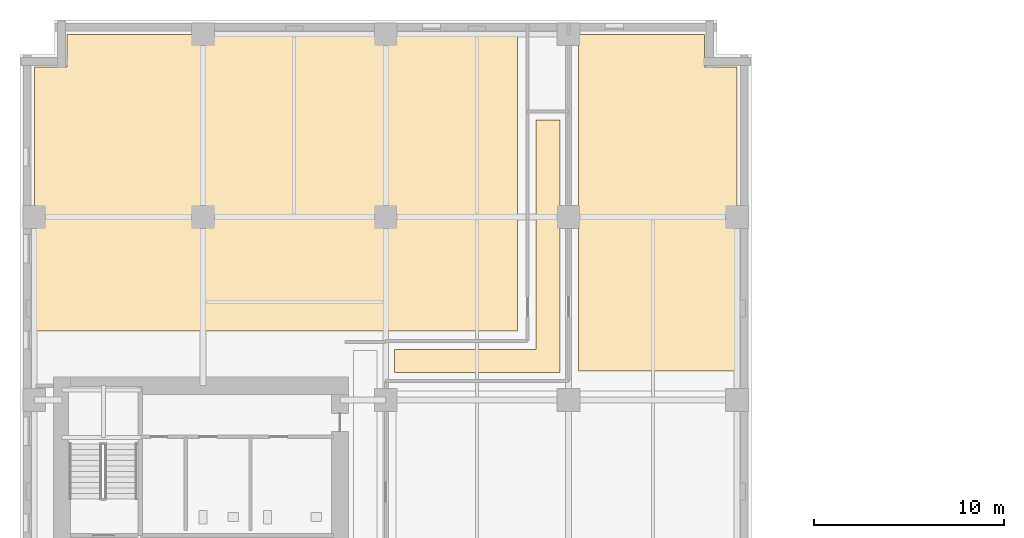
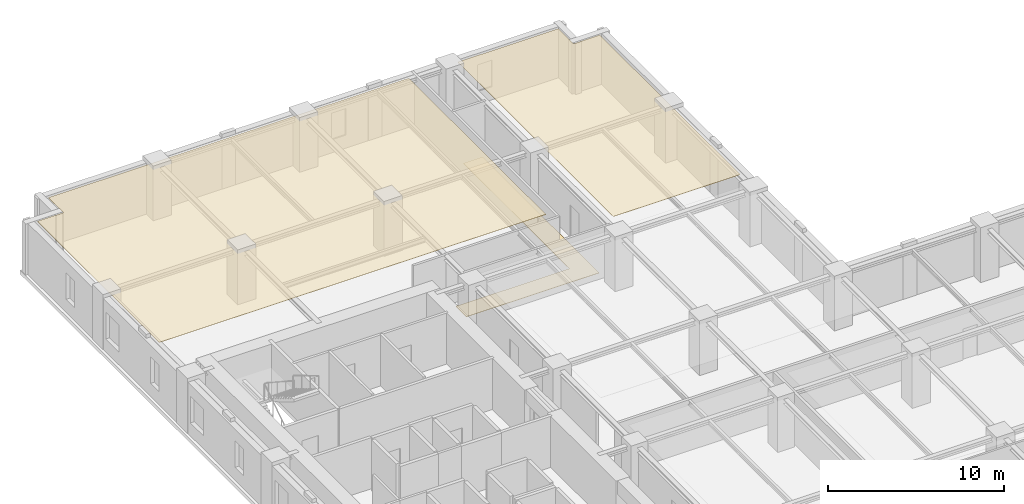
# One storey, part 13 of 14: 3 coverings.
"""IFC4 building model written with IfcOpenShell, lengths in metres."""

from ifc_helpers import new_model, si_unit, direction, frame, origin, place, context, subcontext, project, spatial, polyline, outline, extrude, material, layer, layer_set, type_object, element, save


model = new_model("IFC4")

# Units and contexts
model_context = context("Model", 3, precision=1e-05, world=origin(), true_north=direction((0.0, 1.0)))
body_context = subcontext(model_context, "Body", "Model", "MODEL_VIEW")
ifc_project = project(units=[si_unit("LENGTHUNIT", "METRE"), si_unit("AREAUNIT", "SQUARE_METRE"), si_unit("VOLUMEUNIT", "CUBIC_METRE"), si_unit("PLANEANGLEUNIT", "RADIAN"), si_unit("MASSUNIT", "GRAM", prefix="KILO")], contexts=[model_context])

# Site, building, storey
site_placement = place(None, origin())
site = spatial("IfcSite", under=ifc_project, at=site_placement, CompositionType="ELEMENT")
building_placement = place(site_placement, origin())
building = spatial("IfcBuilding", under=site, at=building_placement, Name="Norrvale University Quadrangle", CompositionType="ELEMENT")
storey_placement = place(building_placement, frame((0.0, 0.0, 50.800048828125)))
storey = spatial("IfcBuildingStorey", under=building, at=storey_placement, Name="L12", CompositionType="ELEMENT", Elevation=50.800048828125)

# Coverings
ifc_material_1 = material(Name="Perforated Acoustic Mineral Ceiling")
ifc_layer_1 = layer(ifc_material_1, 0.02490234375, Name="Perforated Acoustic Mineral Ceiling")
ifc_layer_set_1 = layer_set([ifc_layer_1], Name="Perforated Acoustic Mineral Ceiling")
covering_type_1 = type_object("IfcCoveringType", Name="Covering Acoustic Ceiling 25", PredefinedType="CEILING", material=ifc_layer_set_1)
covering_1_placement = place(storey_placement, frame((0.0, 0.0, 3.514892578125)))
element("IfcCovering", 1, at=covering_1_placement, inside=storey, type_object=covering_type_1, Name="Acoustic Ceiling RM-L12-NE01", PredefinedType="CEILING", context=body_context, shape_type="SweptSolid", body=[
    extrude(outline(polyline([(37.64990234375, 48.780029296875), (29.330078125, 48.780029296875), (29.330078125, 66.449951171875), (35.929931640625, 66.449951171875), (35.929931640625, 64.72998046875), (37.64990234375, 64.72998046875), (37.64990234375, 48.780029296875)])), origin(), (0.0, 0.0, 1.0), 0.025146484375),
])
covering_2_placement = place(storey_placement, frame((0.0, 0.0, 3.514892578125)))
element("IfcCovering", 2, at=covering_2_placement, inside=storey, type_object=covering_type_1, Name="Acoustic Ceiling RM-L12-NW01", PredefinedType="CEILING", context=body_context, shape_type="SweptSolid", body=[
    extrude(outline(polyline([(26.1201171875, 66.449951171875), (26.1201171875, 50.8798828125), (0.75, 50.8798828125), (0.75, 64.72998046875), (2.469970703125, 64.72998046875), (2.469970703125, 66.449951171875), (26.1201171875, 66.449951171875)])), origin(), (0.0, 0.0, 1.0), 0.025146484375),
])
ifc_material_2 = material(Name="Polished Terrazzo Flooring")
ifc_layer_2 = layer(ifc_material_2, 0.02490234375, Name="Polished Terrazzo Flooring")
ifc_layer_set_2 = layer_set([ifc_layer_2], Name="Polished Terrazzo Flooring")
covering_type_2 = type_object("IfcCoveringType", Name="Covering Terrazzo Floor 30", PredefinedType="FLOORING", material=ifc_layer_set_2)
covering_3_placement = place(storey_placement, origin())
element("IfcCovering", 3, at=covering_3_placement, inside=storey, type_object=covering_type_2, Name="Terrazzo Flooring RM-L12-NCJOG", PredefinedType="FLOORING", context=body_context, shape_type="SweptSolid", body=[
    extrude(outline(polyline([(19.64990234375, 48.699951171875), (19.64990234375, 49.89990234375), (27.10009765625, 49.89990234375), (27.10009765625, 61.949951171875), (28.35009765625, 61.949951171875), (28.35009765625, 48.699951171875), (19.64990234375, 48.699951171875)])), origin(), (0.0, 0.0, 1.0), 0.02490234375),
])

save(model, "model.ifc")
